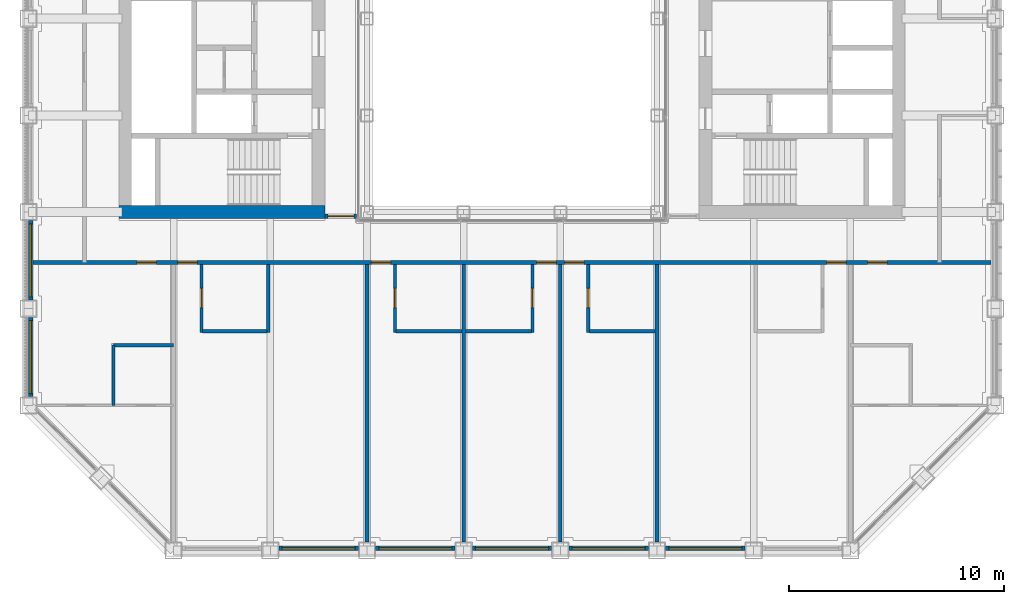
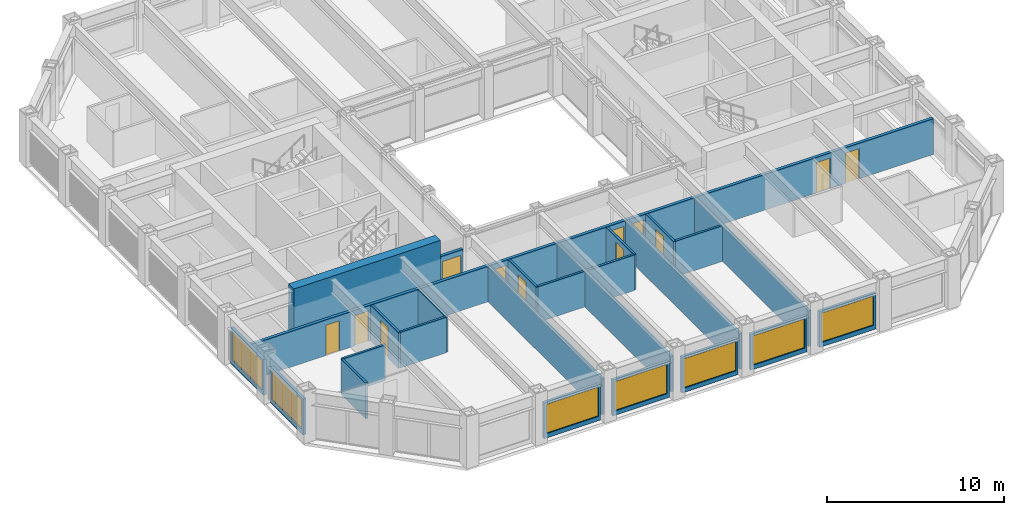
# One storey, part 10 of 17: 25 walls, 12 doors, 7 windows, 19 openings.
"""IFC4 building model written with IfcOpenShell, lengths in metres."""

from ifc_helpers import new_model, si_unit, direction, frame, frame_2d, origin, place, context, subcontext, project, spatial, rectangle, extrude, material, layer, layer_set, type_object, element, fill, save


model = new_model("IFC4")

# Units and contexts
model_context = context("Model", 3, precision=1e-05, world=origin(), true_north=direction((0.0, 1.0)))
body_context = subcontext(model_context, "Body", "Model", "MODEL_VIEW")
ifc_project = project(units=[si_unit("LENGTHUNIT", "METRE"), si_unit("AREAUNIT", "SQUARE_METRE"), si_unit("VOLUMEUNIT", "CUBIC_METRE"), si_unit("PLANEANGLEUNIT", "RADIAN"), si_unit("MASSUNIT", "GRAM", prefix="KILO")], contexts=[model_context])

# Site, building, storey
site_placement = place(None, origin())
site = spatial("IfcSite", under=ifc_project, at=site_placement, CompositionType="ELEMENT")
building_placement = place(site_placement, origin())
building = spatial("IfcBuilding", under=site, at=building_placement, Name="Msasa Ring Tower", CompositionType="ELEMENT")
storey_placement = place(building_placement, frame((0.0, 0.0, 150.800048828125)))
storey = spatial("IfcBuildingStorey", under=building, at=storey_placement, Name="L39", CompositionType="ELEMENT", Elevation=150.800048828125)

# Wall
ifc_material_1 = material(Name="Concrete C60/75", Category="concrete")
ifc_layer_1 = layer(ifc_material_1, 0.60009765625)
ifc_layer_set_1 = layer_set([ifc_layer_1], Name="CW2 CORE WALL 600")
wall_type_1 = type_object("IfcWallType", Name="CW2 CORE WALL 600", PredefinedType="SHEAR", material=ifc_layer_set_1)
wall_1_placement = place(storey_placement, frame((-8.699951171875, -6.75, 0.0), z_axis=(0.0, 0.0, 1.0), x_axis=(-1.0, 0.0, 0.0)))
element("IfcWall", 1, at=wall_1_placement, inside=storey, type_object=wall_type_1, Name="W core wall S L39", PredefinedType="SHEAR", context=body_context, shape_type="SweptSolid", body=[
    extrude(rectangle(XDim=9.60009765625, YDim=0.60009765625, at=frame_2d((4.800048828125, 0.0))), origin(), (0.0, 0.0, 1.0), 3.599853515625),
])

# Wall, opening, window
ifc_material_2 = material(Name="Terracotta rainscreen on blockwork", Category="masonry")
ifc_layer_2 = layer(ifc_material_2, 0.199951171875)
ifc_layer_set_2 = layer_set([ifc_layer_2], Name="FW1 TERRACOTTA-LINED INFILL BAY WALL 200")
wall_type_2 = type_object("IfcWallType", Name="FW1 TERRACOTTA-LINED INFILL BAY WALL 200", PredefinedType="SOLIDWALL", material=ifc_layer_set_2)
wall_2_placement = place(storey_placement, frame((-10.844970703125, -22.39990234375, 0.0), z_axis=(0.0, 0.0, 1.0), x_axis=(1.0, 0.0, 0.0)))
wall_2 = element("IfcWall", 2, at=wall_2_placement, inside=storey, type_object=wall_type_2, Name="Infill bay wall S L39 01", PredefinedType="SOLIDWALL", context=body_context, shape_type="SweptSolid", body=[
    extrude(rectangle(XDim=3.68994140625, YDim=0.199951171875, at=frame_2d((1.844970703125, 0.0))), origin(), (0.0, 0.0, 1.0), 2.47900390625),
])
opening_1_placement = place(wall_2_placement, frame((0.14501953125, 0.0, 0.300048828125)))
opening_1 = element("IfcOpeningElement", 3, at=opening_1_placement, cuts=wall_2, Name="Opening WN2", PredefinedType="OPENING", context=body_context, shape_type="SweptSolid", body=[
    extrude(rectangle(XDim=3.39990234375, YDim=2.029052734375, at=frame_2d((1.699951171875, 1.0146484375))), frame((0.0, 0.10986328125, 0.0), z_axis=(0.0, -1.0, 0.0), x_axis=(1.0, 0.0, 0.0)), (0.0, 0.0, 1.0), 0.219970703125),
])
ifc_material_3 = material(Name="Aluminium frame with clear glass", Category="aluminium")
window_type = type_object("IfcWindowType", Name="WN2 GUEST ROOM WINDOW 3400x2029", PartitioningType="SINGLE_PANEL", PredefinedType="WINDOW", material=ifc_material_3)
window_1_placement = place(opening_1_placement, origin())
window_1 = element("IfcWindow", 4, at=window_1_placement, inside=storey, type_object=window_type, Name="Window S L39 01", OverallHeight=2.029052734375, OverallWidth=3.39990234375, PartitioningType="SINGLE_PANEL", PredefinedType="WINDOW", context=body_context, shape_type="SweptSolid", body=[
    extrude(rectangle(XDim=3.39990234375, YDim=2.029052734375, at=frame_2d((1.699951171875, 1.0146484375))), frame((0.0, 0.030029296875, 0.0), z_axis=(0.0, -1.0, 0.0), x_axis=(1.0, 0.0, 0.0)), (0.0, 0.0, 1.0), 0.06005859375),
])
fill(opening_1, window_1)

wall_3_placement = place(storey_placement, frame((-6.344970703125, -22.39990234375, 0.0), z_axis=(0.0, 0.0, 1.0), x_axis=(1.0, 0.0, 0.0)))
wall_3 = element("IfcWall", 5, at=wall_3_placement, inside=storey, type_object=wall_type_2, Name="Infill bay wall S L39 02", PredefinedType="SOLIDWALL", context=body_context, shape_type="SweptSolid", body=[
    extrude(rectangle(XDim=3.68994140625, YDim=0.199951171875, at=frame_2d((1.844970703125, 0.0))), origin(), (0.0, 0.0, 1.0), 2.47900390625),
])
opening_2_placement = place(wall_3_placement, frame((0.14501953125, 0.0, 0.300048828125)))
opening_2 = element("IfcOpeningElement", 6, at=opening_2_placement, cuts=wall_3, Name="Opening WN2", PredefinedType="OPENING", context=body_context, shape_type="SweptSolid", body=[
    extrude(rectangle(XDim=3.39990234375, YDim=2.029052734375, at=frame_2d((1.699951171875, 1.0146484375))), frame((0.0, 0.10986328125, 0.0), z_axis=(0.0, -1.0, 0.0), x_axis=(1.0, 0.0, 0.0)), (0.0, 0.0, 1.0), 0.219970703125),
])
window_2_placement = place(opening_2_placement, origin())
window_2 = element("IfcWindow", 7, at=window_2_placement, inside=storey, type_object=window_type, Name="Window S L39 02", OverallHeight=2.029052734375, OverallWidth=3.39990234375, PartitioningType="SINGLE_PANEL", PredefinedType="WINDOW", context=body_context, shape_type="SweptSolid", body=[
    extrude(rectangle(XDim=3.39990234375, YDim=2.029052734375, at=frame_2d((1.699951171875, 1.0146484375))), frame((0.0, 0.030029296875, 0.0), z_axis=(0.0, -1.0, 0.0), x_axis=(1.0, 0.0, 0.0)), (0.0, 0.0, 1.0), 0.06005859375),
])
fill(opening_2, window_2)

wall_4_placement = place(storey_placement, frame((-1.844970703125, -22.39990234375, 0.0), z_axis=(0.0, 0.0, 1.0), x_axis=(1.0, 0.0, 0.0)))
wall_4 = element("IfcWall", 8, at=wall_4_placement, inside=storey, type_object=wall_type_2, Name="Infill bay wall S L39 03", PredefinedType="SOLIDWALL", context=body_context, shape_type="SweptSolid", body=[
    extrude(rectangle(XDim=3.68994140625, YDim=0.199951171875, at=frame_2d((1.844970703125, 0.0))), origin(), (0.0, 0.0, 1.0), 2.47900390625),
])
opening_3_placement = place(wall_4_placement, frame((0.14501953125, 0.0, 0.300048828125)))
opening_3 = element("IfcOpeningElement", 9, at=opening_3_placement, cuts=wall_4, Name="Opening WN2", PredefinedType="OPENING", context=body_context, shape_type="SweptSolid", body=[
    extrude(rectangle(XDim=3.39990234375, YDim=2.029052734375, at=frame_2d((1.699951171875, 1.0146484375))), frame((0.0, 0.10986328125, 0.0), z_axis=(0.0, -1.0, 0.0), x_axis=(1.0, 0.0, 0.0)), (0.0, 0.0, 1.0), 0.219970703125),
])
window_3_placement = place(opening_3_placement, origin())
window_3 = element("IfcWindow", 10, at=window_3_placement, inside=storey, type_object=window_type, Name="Window S L39 03", OverallHeight=2.029052734375, OverallWidth=3.39990234375, PartitioningType="SINGLE_PANEL", PredefinedType="WINDOW", context=body_context, shape_type="SweptSolid", body=[
    extrude(rectangle(XDim=3.39990234375, YDim=2.029052734375, at=frame_2d((1.699951171875, 1.0146484375))), frame((0.0, 0.030029296875, 0.0), z_axis=(0.0, -1.0, 0.0), x_axis=(1.0, 0.0, 0.0)), (0.0, 0.0, 1.0), 0.06005859375),
])
fill(opening_3, window_3)

wall_5_placement = place(storey_placement, frame((2.655029296875, -22.39990234375, 0.0), z_axis=(0.0, 0.0, 1.0), x_axis=(1.0, 0.0, 0.0)))
wall_5 = element("IfcWall", 11, at=wall_5_placement, inside=storey, type_object=wall_type_2, Name="Infill bay wall S L39 04", PredefinedType="SOLIDWALL", context=body_context, shape_type="SweptSolid", body=[
    extrude(rectangle(XDim=3.68994140625, YDim=0.199951171875, at=frame_2d((1.844970703125, 0.0))), origin(), (0.0, 0.0, 1.0), 2.47900390625),
])
opening_4_placement = place(wall_5_placement, frame((0.14501953125, 0.0, 0.300048828125)))
opening_4 = element("IfcOpeningElement", 12, at=opening_4_placement, cuts=wall_5, Name="Opening WN2", PredefinedType="OPENING", context=body_context, shape_type="SweptSolid", body=[
    extrude(rectangle(XDim=3.39990234375, YDim=2.029052734375, at=frame_2d((1.699951171875, 1.0146484375))), frame((0.0, 0.10986328125, 0.0), z_axis=(0.0, -1.0, 0.0), x_axis=(1.0, 0.0, 0.0)), (0.0, 0.0, 1.0), 0.219970703125),
])
window_4_placement = place(opening_4_placement, origin())
window_4 = element("IfcWindow", 13, at=window_4_placement, inside=storey, type_object=window_type, Name="Window S L39 04", OverallHeight=2.029052734375, OverallWidth=3.39990234375, PartitioningType="SINGLE_PANEL", PredefinedType="WINDOW", context=body_context, shape_type="SweptSolid", body=[
    extrude(rectangle(XDim=3.39990234375, YDim=2.029052734375, at=frame_2d((1.699951171875, 1.0146484375))), frame((0.0, 0.030029296875, 0.0), z_axis=(0.0, -1.0, 0.0), x_axis=(1.0, 0.0, 0.0)), (0.0, 0.0, 1.0), 0.06005859375),
])
fill(opening_4, window_4)

wall_6_placement = place(storey_placement, frame((7.155029296875, -22.39990234375, 0.0), z_axis=(0.0, 0.0, 1.0), x_axis=(1.0, 0.0, 0.0)))
wall_6 = element("IfcWall", 14, at=wall_6_placement, inside=storey, type_object=wall_type_2, Name="Infill bay wall S L39 05", PredefinedType="SOLIDWALL", context=body_context, shape_type="SweptSolid", body=[
    extrude(rectangle(XDim=3.68994140625, YDim=0.199951171875, at=frame_2d((1.844970703125, 0.0))), origin(), (0.0, 0.0, 1.0), 2.47900390625),
])
opening_5_placement = place(wall_6_placement, frame((0.14501953125, 0.0, 0.300048828125)))
opening_5 = element("IfcOpeningElement", 15, at=opening_5_placement, cuts=wall_6, Name="Opening WN2", PredefinedType="OPENING", context=body_context, shape_type="SweptSolid", body=[
    extrude(rectangle(XDim=3.39990234375, YDim=2.029052734375, at=frame_2d((1.699951171875, 1.0146484375))), frame((0.0, 0.10986328125, 0.0), z_axis=(0.0, -1.0, 0.0), x_axis=(1.0, 0.0, 0.0)), (0.0, 0.0, 1.0), 0.219970703125),
])
window_5_placement = place(opening_5_placement, origin())
window_5 = element("IfcWindow", 16, at=window_5_placement, inside=storey, type_object=window_type, Name="Window S L39 05", OverallHeight=2.029052734375, OverallWidth=3.39990234375, PartitioningType="SINGLE_PANEL", PredefinedType="WINDOW", context=body_context, shape_type="SweptSolid", body=[
    extrude(rectangle(XDim=3.39990234375, YDim=2.029052734375, at=frame_2d((1.699951171875, 1.0146484375))), frame((0.0, 0.030029296875, 0.0), z_axis=(0.0, -1.0, 0.0), x_axis=(1.0, 0.0, 0.0)), (0.0, 0.0, 1.0), 0.06005859375),
])
fill(opening_5, window_5)

wall_7_placement = place(storey_placement, frame((-22.39990234375, -15.344970703125, 0.0), z_axis=(0.0, 0.0, 1.0), x_axis=(0.0, 1.0, 0.0)))
wall_7 = element("IfcWall", 17, at=wall_7_placement, inside=storey, type_object=wall_type_2, Name="Infill bay wall W L39 27", PredefinedType="SOLIDWALL", context=body_context, shape_type="SweptSolid", body=[
    extrude(rectangle(XDim=3.68994140625, YDim=0.199951171875, at=frame_2d((1.844970703125, 0.0))), origin(), (0.0, 0.0, 1.0), 2.47900390625),
])
opening_6_placement = place(wall_7_placement, frame((0.14501953125, 0.0, 0.300048828125)))
opening_6 = element("IfcOpeningElement", 18, at=opening_6_placement, cuts=wall_7, Name="Opening WN2", PredefinedType="OPENING", context=body_context, shape_type="SweptSolid", body=[
    extrude(rectangle(XDim=3.39990234375, YDim=2.029052734375, at=frame_2d((1.699951171875, 1.0146484375))), frame((0.0, 0.10986328125, 0.0), z_axis=(0.0, -1.0, 0.0), x_axis=(1.0, 0.0, 0.0)), (0.0, 0.0, 1.0), 0.219970703125),
])
window_6_placement = place(opening_6_placement, origin())
window_6 = element("IfcWindow", 19, at=window_6_placement, inside=storey, type_object=window_type, Name="Window W L39 27", OverallHeight=2.029052734375, OverallWidth=3.39990234375, PartitioningType="SINGLE_PANEL", PredefinedType="WINDOW", context=body_context, shape_type="SweptSolid", body=[
    extrude(rectangle(XDim=3.39990234375, YDim=2.029052734375, at=frame_2d((1.699951171875, 1.0146484375))), frame((0.0, 0.030029296875, 0.0), z_axis=(0.0, -1.0, 0.0), x_axis=(1.0, 0.0, 0.0)), (0.0, 0.0, 1.0), 0.06005859375),
])
fill(opening_6, window_6)

wall_8_placement = place(storey_placement, frame((-22.39990234375, -10.844970703125, 0.0), z_axis=(0.0, 0.0, 1.0), x_axis=(0.0, 1.0, 0.0)))
wall_8 = element("IfcWall", 20, at=wall_8_placement, inside=storey, type_object=wall_type_2, Name="Infill bay wall W L39 28", PredefinedType="SOLIDWALL", context=body_context, shape_type="SweptSolid", body=[
    extrude(rectangle(XDim=3.68994140625, YDim=0.199951171875, at=frame_2d((1.844970703125, 0.0))), origin(), (0.0, 0.0, 1.0), 2.47900390625),
])
opening_7_placement = place(wall_8_placement, frame((0.14501953125, 0.0, 0.300048828125)))
opening_7 = element("IfcOpeningElement", 21, at=opening_7_placement, cuts=wall_8, Name="Opening WN2", PredefinedType="OPENING", context=body_context, shape_type="SweptSolid", body=[
    extrude(rectangle(XDim=3.39990234375, YDim=2.029052734375, at=frame_2d((1.699951171875, 1.0146484375))), frame((0.0, 0.10986328125, 0.0), z_axis=(0.0, -1.0, 0.0), x_axis=(1.0, 0.0, 0.0)), (0.0, 0.0, 1.0), 0.219970703125),
])
window_7_placement = place(opening_7_placement, origin())
window_7 = element("IfcWindow", 22, at=window_7_placement, inside=storey, type_object=window_type, Name="Window W L39 28", OverallHeight=2.029052734375, OverallWidth=3.39990234375, PartitioningType="SINGLE_PANEL", PredefinedType="WINDOW", context=body_context, shape_type="SweptSolid", body=[
    extrude(rectangle(XDim=3.39990234375, YDim=2.029052734375, at=frame_2d((1.699951171875, 1.0146484375))), frame((0.0, 0.030029296875, 0.0), z_axis=(0.0, -1.0, 0.0), x_axis=(1.0, 0.0, 0.0)), (0.0, 0.0, 1.0), 0.06005859375),
])
fill(opening_7, window_7)

# Wall, opening, door
ifc_material_4 = material(Name="Concrete blockwork", Category="masonry")
ifc_layer_3 = layer(ifc_material_4, 0.199951171875)
ifc_layer_set_3 = layer_set([ifc_layer_3], Name="PT1 CORRIDOR WALL 200")
wall_type_3 = type_object("IfcWallType", Name="PT1 CORRIDOR WALL 200", PredefinedType="PARTITIONING", material=ifc_layer_set_3)
wall_9_placement = place(storey_placement, frame((-8.699951171875, -6.949951171875, 0.0), z_axis=(0.0, 0.0, 1.0), x_axis=(1.0, 0.0, 0.0)))
wall_9 = element("IfcWall", 23, at=wall_9_placement, inside=storey, type_object=wall_type_3, Name="Corridor wall L39-SDWS", PredefinedType="PARTITIONING", context=body_context, shape_type="SweptSolid", body=[
    extrude(rectangle(XDim=1.469970703125, YDim=0.199951171875, at=frame_2d((0.73486328125, 0.0))), origin(), (0.0, 0.0, 1.0), 2.473388671875),
])
opening_8_placement = place(wall_9_placement, frame((0.135009765625, 0.0, 0.0)))
opening_8 = element("IfcOpeningElement", 24, at=opening_8_placement, cuts=wall_9, Name="Opening HD-031", PredefinedType="OPENING", context=body_context, shape_type="SweptSolid", body=[
    extrude(rectangle(XDim=1.199951171875, YDim=2.10009765625, at=frame_2d((0.60009765625, 1.050048828125))), frame((0.0, 0.10986328125, 0.0), z_axis=(0.0, -1.0, 0.0), x_axis=(1.0, 0.0, 0.0)), (0.0, 0.0, 1.0), 0.219970703125),
])
ifc_material_5 = material(Name="Timber door leaf in a steel frame", Category="steel")
door_type_1 = type_object("IfcDoorType", Name="D25 CORRIDOR PAIR OF SMOKE DOORS 1200x2100", OperationType="DOUBLE_DOOR_DOUBLE_SWING", PredefinedType="DOOR", material=ifc_material_5)
door_1_placement = place(opening_8_placement, origin())
door_1 = element("IfcDoor", 25, at=door_1_placement, inside=storey, type_object=door_type_1, Name="Door L39-SDWS", OperationType="DOUBLE_DOOR_DOUBLE_SWING", OverallHeight=2.10009765625, OverallWidth=1.199951171875, PredefinedType="DOOR", context=body_context, shape_type="SweptSolid", body=[
    extrude(rectangle(XDim=1.199951171875, YDim=2.10009765625, at=frame_2d((0.60009765625, 1.050048828125))), frame((0.0, 0.02490234375, 0.0), z_axis=(0.0, -1.0, 0.0), x_axis=(1.0, 0.0, 0.0)), (0.0, 0.0, 1.0), 0.050048828125),
])
fill(opening_8, door_1)

# Wall, openings, doors
wall_10_placement = place(storey_placement, frame((-22.300048828125, -9.10009765625, 0.0), z_axis=(0.0, 0.0, 1.0), x_axis=(1.0, 0.0, 0.0)))
wall_10 = element("IfcWall", 26, at=wall_10_placement, inside=storey, type_object=wall_type_3, Name="Corridor wall L39-CORRS0", PredefinedType="PARTITIONING", context=body_context, shape_type="SweptSolid", body=[
    extrude(rectangle(XDim=44.60009765625, YDim=0.199951171875, at=frame_2d((22.300048828125, 0.0))), origin(), (0.0, 0.0, 1.0), 2.473388671875),
])
opening_9_placement = place(wall_10_placement, frame((6.75, 0.0, 0.0)))
opening_9 = element("IfcOpeningElement", 27, at=opening_9_placement, cuts=wall_10, Name="Opening HD-034", PredefinedType="OPENING", context=body_context, shape_type="SweptSolid", body=[
    extrude(rectangle(XDim=0.89990234375, YDim=2.10009765625, at=frame_2d((0.449951171875, 1.050048828125))), frame((0.0, 0.10986328125, 0.0), z_axis=(0.0, -1.0, 0.0), x_axis=(1.0, 0.0, 0.0)), (0.0, 0.0, 1.0), 0.219970703125),
])
opening_10_placement = place(wall_10_placement, frame((15.75, 0.0, 0.0)))
opening_10 = element("IfcOpeningElement", 28, at=opening_10_placement, cuts=wall_10, Name="Opening HD-035", PredefinedType="OPENING", context=body_context, shape_type="SweptSolid", body=[
    extrude(rectangle(XDim=0.89990234375, YDim=2.10009765625, at=frame_2d((0.449951171875, 1.050048828125))), frame((0.0, 0.10986328125, 0.0), z_axis=(0.0, -1.0, 0.0), x_axis=(1.0, 0.0, 0.0)), (0.0, 0.0, 1.0), 0.219970703125),
])
opening_11_placement = place(wall_10_placement, frame((23.449951171875, 0.0, 0.0)))
opening_11 = element("IfcOpeningElement", 29, at=opening_11_placement, cuts=wall_10, Name="Opening HD-036", PredefinedType="OPENING", context=body_context, shape_type="SweptSolid", body=[
    extrude(rectangle(XDim=0.89990234375, YDim=2.10009765625, at=frame_2d((0.449951171875, 1.050048828125))), frame((0.0, 0.10986328125, 0.0), z_axis=(0.0, -1.0, 0.0), x_axis=(1.0, 0.0, 0.0)), (0.0, 0.0, 1.0), 0.219970703125),
])
opening_12_placement = place(wall_10_placement, frame((24.75, 0.0, 0.0)))
opening_12 = element("IfcOpeningElement", 30, at=opening_12_placement, cuts=wall_10, Name="Opening HD-037", PredefinedType="OPENING", context=body_context, shape_type="SweptSolid", body=[
    extrude(rectangle(XDim=0.89990234375, YDim=2.10009765625, at=frame_2d((0.449951171875, 1.050048828125))), frame((0.0, 0.10986328125, 0.0), z_axis=(0.0, -1.0, 0.0), x_axis=(1.0, 0.0, 0.0)), (0.0, 0.0, 1.0), 0.219970703125),
])
opening_13_placement = place(wall_10_placement, frame((36.949951171875, 0.0, 0.0)))
opening_13 = element("IfcOpeningElement", 31, at=opening_13_placement, cuts=wall_10, Name="Opening HD-038", PredefinedType="OPENING", context=body_context, shape_type="SweptSolid", body=[
    extrude(rectangle(XDim=0.89990234375, YDim=2.10009765625, at=frame_2d((0.449951171875, 1.050048828125))), frame((0.0, 0.10986328125, 0.0), z_axis=(0.0, -1.0, 0.0), x_axis=(1.0, 0.0, 0.0)), (0.0, 0.0, 1.0), 0.219970703125),
])
opening_14_placement = place(wall_10_placement, frame((38.85009765625, 0.0, 0.0)))
opening_14 = element("IfcOpeningElement", 32, at=opening_14_placement, cuts=wall_10, Name="Opening HD-039", PredefinedType="OPENING", context=body_context, shape_type="SweptSolid", body=[
    extrude(rectangle(XDim=0.89990234375, YDim=2.10009765625, at=frame_2d((0.449951171875, 1.050048828125))), frame((0.0, 0.10986328125, 0.0), z_axis=(0.0, -1.0, 0.0), x_axis=(1.0, 0.0, 0.0)), (0.0, 0.0, 1.0), 0.219970703125),
])
opening_15_placement = place(wall_10_placement, frame((4.85009765625, 0.0, 0.0)))
opening_15 = element("IfcOpeningElement", 33, at=opening_15_placement, cuts=wall_10, Name="Opening HD-033", PredefinedType="OPENING", context=body_context, shape_type="SweptSolid", body=[
    extrude(rectangle(XDim=0.89990234375, YDim=2.10009765625, at=frame_2d((0.449951171875, 1.050048828125))), frame((0.0, 0.10986328125, 0.0), z_axis=(0.0, -1.0, 0.0), x_axis=(1.0, 0.0, 0.0)), (0.0, 0.0, 1.0), 0.219970703125),
])
ifc_material_6 = material(Name="Timber door leaf in a steel frame", Category="steel")
door_type_2 = type_object("IfcDoorType", Name="D1 SINGLE DOOR TO CORRIDOR 900x2100", OperationType="SINGLE_SWING_LEFT", PredefinedType="DOOR", material=ifc_material_6)
door_2_placement = place(opening_9_placement, origin())
door_2 = element("IfcDoor", 34, at=door_2_placement, inside=storey, type_object=door_type_2, Name="Door L39-GS00", OperationType="SINGLE_SWING_LEFT", OverallHeight=2.10009765625, OverallWidth=0.89990234375, PredefinedType="DOOR", context=body_context, shape_type="SweptSolid", body=[
    extrude(rectangle(XDim=0.89990234375, YDim=2.10009765625, at=frame_2d((0.449951171875, 1.050048828125))), frame((0.0, 0.02490234375, 0.0), z_axis=(0.0, -1.0, 0.0), x_axis=(1.0, 0.0, 0.0)), (0.0, 0.0, 1.0), 0.050048828125),
])
fill(opening_9, door_2)
door_3_placement = place(opening_10_placement, origin())
door_3 = element("IfcDoor", 35, at=door_3_placement, inside=storey, type_object=door_type_2, Name="Door L39-GS01", OperationType="SINGLE_SWING_LEFT", OverallHeight=2.10009765625, OverallWidth=0.89990234375, PredefinedType="DOOR", context=body_context, shape_type="SweptSolid", body=[
    extrude(rectangle(XDim=0.89990234375, YDim=2.10009765625, at=frame_2d((0.449951171875, 1.050048828125))), frame((0.0, 0.02490234375, 0.0), z_axis=(0.0, -1.0, 0.0), x_axis=(1.0, 0.0, 0.0)), (0.0, 0.0, 1.0), 0.050048828125),
])
fill(opening_10, door_3)
door_4_placement = place(opening_11_placement, origin())
door_4 = element("IfcDoor", 36, at=door_4_placement, inside=storey, type_object=door_type_2, Name="Door L39-GS02", OperationType="SINGLE_SWING_RIGHT", OverallHeight=2.10009765625, OverallWidth=0.89990234375, PredefinedType="DOOR", context=body_context, shape_type="SweptSolid", body=[
    extrude(rectangle(XDim=0.89990234375, YDim=2.10009765625, at=frame_2d((0.449951171875, 1.050048828125))), frame((0.0, 0.02490234375, 0.0), z_axis=(0.0, -1.0, 0.0), x_axis=(1.0, 0.0, 0.0)), (0.0, 0.0, 1.0), 0.050048828125),
])
fill(opening_11, door_4)
door_5_placement = place(opening_12_placement, origin())
door_5 = element("IfcDoor", 37, at=door_5_placement, inside=storey, type_object=door_type_2, Name="Door L39-GS03", OperationType="SINGLE_SWING_RIGHT", OverallHeight=2.10009765625, OverallWidth=0.89990234375, PredefinedType="DOOR", context=body_context, shape_type="SweptSolid", body=[
    extrude(rectangle(XDim=0.89990234375, YDim=2.10009765625, at=frame_2d((0.449951171875, 1.050048828125))), frame((0.0, 0.02490234375, 0.0), z_axis=(0.0, -1.0, 0.0), x_axis=(1.0, 0.0, 0.0)), (0.0, 0.0, 1.0), 0.050048828125),
])
fill(opening_12, door_5)
door_6_placement = place(opening_13_placement, origin())
door_6 = element("IfcDoor", 38, at=door_6_placement, inside=storey, type_object=door_type_2, Name="Door L39-GS04", OperationType="SINGLE_SWING_RIGHT", OverallHeight=2.10009765625, OverallWidth=0.89990234375, PredefinedType="DOOR", context=body_context, shape_type="SweptSolid", body=[
    extrude(rectangle(XDim=0.89990234375, YDim=2.10009765625, at=frame_2d((0.449951171875, 1.050048828125))), frame((0.0, 0.02490234375, 0.0), z_axis=(0.0, -1.0, 0.0), x_axis=(1.0, 0.0, 0.0)), (0.0, 0.0, 1.0), 0.050048828125),
])
fill(opening_13, door_6)
ifc_material_7 = material(Name="Timber door leaf in a steel frame", Category="steel")
door_type_3 = type_object("IfcDoorType", Name="D2 ENTRANCE DOOR 900x2100", OperationType="SINGLE_SWING_LEFT", PredefinedType="DOOR", material=ifc_material_7)
door_7_placement = place(opening_14_placement, origin())
door_7 = element("IfcDoor", 39, at=door_7_placement, inside=storey, type_object=door_type_3, Name="Door L39-CSSE", OperationType="SINGLE_SWING_RIGHT", OverallHeight=2.10009765625, OverallWidth=0.89990234375, PredefinedType="DOOR", context=body_context, shape_type="SweptSolid", body=[
    extrude(rectangle(XDim=0.89990234375, YDim=2.10009765625, at=frame_2d((0.449951171875, 1.050048828125))), frame((0.0, 0.02490234375, 0.0), z_axis=(0.0, -1.0, 0.0), x_axis=(1.0, 0.0, 0.0)), (0.0, 0.0, 1.0), 0.050048828125),
])
fill(opening_14, door_7)
door_8_placement = place(opening_15_placement, origin())
door_8 = element("IfcDoor", 40, at=door_8_placement, inside=storey, type_object=door_type_3, Name="Door L39-CSSW", OperationType="SINGLE_SWING_LEFT", OverallHeight=2.10009765625, OverallWidth=0.89990234375, PredefinedType="DOOR", context=body_context, shape_type="SweptSolid", body=[
    extrude(rectangle(XDim=0.89990234375, YDim=2.10009765625, at=frame_2d((0.449951171875, 1.050048828125))), frame((0.0, 0.02490234375, 0.0), z_axis=(0.0, -1.0, 0.0), x_axis=(1.0, 0.0, 0.0)), (0.0, 0.0, 1.0), 0.050048828125),
])
fill(opening_15, door_8)

# Wall, opening, door
ifc_material_8 = material(Name="Moisture-resistant board on steel studs with a concealed cistern and pipe void, tiled", Category="steel")
ifc_layer_4 = layer(ifc_material_8, 0.14990234375)
ifc_layer_set_4 = layer_set([ifc_layer_4], Name="PT4 BATHROOM WET WALL 150")
wall_type_4 = type_object("IfcWallType", Name="PT4 BATHROOM WET WALL 150", PredefinedType="PARTITIONING", material=ifc_layer_set_4)
wall_11_placement = place(storey_placement, frame((-14.449951171875, -12.35009765625, 0.0), z_axis=(0.0, 0.0, 1.0), x_axis=(0.0, 1.0, 0.0)))
wall_11 = element("IfcWall", 41, at=wall_11_placement, inside=storey, type_object=wall_type_4, Name="Partition L39-GS00BX", PredefinedType="PARTITIONING", context=body_context, shape_type="SweptSolid", body=[
    extrude(rectangle(XDim=3.150146484375, YDim=0.14990234375, at=frame_2d((1.5751953125, 0.0))), origin(), (0.0, 0.0, 1.0), 2.473388671875),
])
opening_16_placement = place(wall_11_placement, frame((1.14990234375, 0.0, 0.0)))
opening_16 = element("IfcOpeningElement", 42, at=opening_16_placement, cuts=wall_11, Name="Opening HD-040", PredefinedType="OPENING", context=body_context, shape_type="SweptSolid", body=[
    extrude(rectangle(XDim=0.89990234375, YDim=2.10009765625, at=frame_2d((0.449951171875, 1.050048828125))), frame((0.0, 0.0849609375, 0.0), z_axis=(0.0, -1.0, 0.0), x_axis=(1.0, 0.0, 0.0)), (0.0, 0.0, 1.0), 0.169921875),
])
ifc_material_9 = material(Name="Timber door leaf in a steel frame", Category="steel")
door_type_4 = type_object("IfcDoorType", Name="D3 BATHROOM DOOR 900x2100", OperationType="SINGLE_SWING_LEFT", PredefinedType="DOOR", material=ifc_material_9)
door_9_placement = place(opening_16_placement, origin())
door_9 = element("IfcDoor", 43, at=door_9_placement, inside=storey, type_object=door_type_4, Name="Door L39-GS00B", OperationType="SINGLE_SWING_LEFT", OverallHeight=2.10009765625, OverallWidth=0.89990234375, PredefinedType="DOOR", context=body_context, shape_type="SweptSolid", body=[
    extrude(rectangle(XDim=0.89990234375, YDim=2.10009765625, at=frame_2d((0.449951171875, 1.050048828125))), frame((0.0, 0.02490234375, 0.0), z_axis=(0.0, -1.0, 0.0), x_axis=(1.0, 0.0, 0.0)), (0.0, 0.0, 1.0), 0.050048828125),
])
fill(opening_16, door_9)

# Walls
wall_12_placement = place(storey_placement, frame((-11.35009765625, -12.35009765625, 0.0), z_axis=(0.0, 0.0, 1.0), x_axis=(0.0, 1.0, 0.0)))
element("IfcWall", 44, at=wall_12_placement, inside=storey, type_object=wall_type_4, Name="Partition L39-GS00BF", PredefinedType="PARTITIONING", context=body_context, shape_type="SweptSolid", body=[
    extrude(rectangle(XDim=3.150146484375, YDim=0.14990234375, at=frame_2d((1.5751953125, 0.0))), origin(), (0.0, 0.0, 1.0), 2.473388671875),
])
wall_13_placement = place(storey_placement, frame((-14.39990234375, -12.300048828125, 0.0), z_axis=(0.0, 0.0, 1.0), x_axis=(1.0, 0.0, 0.0)))
element("IfcWall", 45, at=wall_13_placement, inside=storey, type_object=wall_type_4, Name="Partition L39-GS00BY", PredefinedType="PARTITIONING", context=body_context, shape_type="SweptSolid", body=[
    extrude(rectangle(XDim=3.0, YDim=0.14990234375, at=frame_2d((1.5, 0.0))), origin(), (0.0, 0.0, 1.0), 2.473388671875),
])

# Wall, opening, door
wall_14_placement = place(storey_placement, frame((-5.449951171875, -12.35009765625, 0.0), z_axis=(0.0, 0.0, 1.0), x_axis=(0.0, 1.0, 0.0)))
wall_14 = element("IfcWall", 46, at=wall_14_placement, inside=storey, type_object=wall_type_4, Name="Partition L39-GS01BX", PredefinedType="PARTITIONING", context=body_context, shape_type="SweptSolid", body=[
    extrude(rectangle(XDim=3.150146484375, YDim=0.14990234375, at=frame_2d((1.5751953125, 0.0))), origin(), (0.0, 0.0, 1.0), 2.473388671875),
])
opening_17_placement = place(wall_14_placement, frame((1.14990234375, 0.0, 0.0)))
opening_17 = element("IfcOpeningElement", 47, at=opening_17_placement, cuts=wall_14, Name="Opening HD-041", PredefinedType="OPENING", context=body_context, shape_type="SweptSolid", body=[
    extrude(rectangle(XDim=0.89990234375, YDim=2.10009765625, at=frame_2d((0.449951171875, 1.050048828125))), frame((0.0, 0.0849609375, 0.0), z_axis=(0.0, -1.0, 0.0), x_axis=(1.0, 0.0, 0.0)), (0.0, 0.0, 1.0), 0.169921875),
])
door_10_placement = place(opening_17_placement, origin())
door_10 = element("IfcDoor", 48, at=door_10_placement, inside=storey, type_object=door_type_4, Name="Door L39-GS01B", OperationType="SINGLE_SWING_LEFT", OverallHeight=2.10009765625, OverallWidth=0.89990234375, PredefinedType="DOOR", context=body_context, shape_type="SweptSolid", body=[
    extrude(rectangle(XDim=0.89990234375, YDim=2.10009765625, at=frame_2d((0.449951171875, 1.050048828125))), frame((0.0, 0.02490234375, 0.0), z_axis=(0.0, -1.0, 0.0), x_axis=(1.0, 0.0, 0.0)), (0.0, 0.0, 1.0), 0.050048828125),
])
fill(opening_17, door_10)

# Wall
wall_15_placement = place(storey_placement, frame((-5.39990234375, -12.300048828125, 0.0), z_axis=(0.0, 0.0, 1.0), x_axis=(1.0, 0.0, 0.0)))
element("IfcWall", 49, at=wall_15_placement, inside=storey, type_object=wall_type_4, Name="Partition L39-GS01BY", PredefinedType="PARTITIONING", context=body_context, shape_type="SweptSolid", body=[
    extrude(rectangle(XDim=3.0625, YDim=0.14990234375, at=frame_2d((1.53125, 0.0))), origin(), (0.0, 0.0, 1.0), 2.473388671875),
])

# Wall, opening, door
wall_16_placement = place(storey_placement, frame((0.949951171875, -12.35009765625, 0.0), z_axis=(0.0, 0.0, 1.0), x_axis=(0.0, 1.0, 0.0)))
wall_16 = element("IfcWall", 50, at=wall_16_placement, inside=storey, type_object=wall_type_4, Name="Partition L39-GS02BX", PredefinedType="PARTITIONING", context=body_context, shape_type="SweptSolid", body=[
    extrude(rectangle(XDim=3.150146484375, YDim=0.14990234375, at=frame_2d((1.5751953125, 0.0))), origin(), (0.0, 0.0, 1.0), 2.473388671875),
])
opening_18_placement = place(wall_16_placement, frame((1.14990234375, 0.0, 0.0)))
opening_18 = element("IfcOpeningElement", 51, at=opening_18_placement, cuts=wall_16, Name="Opening HD-042", PredefinedType="OPENING", context=body_context, shape_type="SweptSolid", body=[
    extrude(rectangle(XDim=0.89990234375, YDim=2.10009765625, at=frame_2d((0.449951171875, 1.050048828125))), frame((0.0, 0.0849609375, 0.0), z_axis=(0.0, -1.0, 0.0), x_axis=(1.0, 0.0, 0.0)), (0.0, 0.0, 1.0), 0.169921875),
])
door_11_placement = place(opening_18_placement, origin())
door_11 = element("IfcDoor", 52, at=door_11_placement, inside=storey, type_object=door_type_4, Name="Door L39-GS02B", OperationType="SINGLE_SWING_LEFT", OverallHeight=2.10009765625, OverallWidth=0.89990234375, PredefinedType="DOOR", context=body_context, shape_type="SweptSolid", body=[
    extrude(rectangle(XDim=0.89990234375, YDim=2.10009765625, at=frame_2d((0.449951171875, 1.050048828125))), frame((0.0, 0.02490234375, 0.0), z_axis=(0.0, -1.0, 0.0), x_axis=(1.0, 0.0, 0.0)), (0.0, 0.0, 1.0), 0.050048828125),
])
fill(opening_18, door_11)

# Wall
wall_17_placement = place(storey_placement, frame((-2.16259765625, -12.300048828125, 0.0), z_axis=(0.0, 0.0, 1.0), x_axis=(1.0, 0.0, 0.0)))
element("IfcWall", 53, at=wall_17_placement, inside=storey, type_object=wall_type_4, Name="Partition L39-GS02BY", PredefinedType="PARTITIONING", context=body_context, shape_type="SweptSolid", body=[
    extrude(rectangle(XDim=3.0625, YDim=0.14990234375, at=frame_2d((1.53125, 0.0))), origin(), (0.0, 0.0, 1.0), 2.473388671875),
])

# Wall, opening, door
wall_18_placement = place(storey_placement, frame((3.550048828125, -12.35009765625, 0.0), z_axis=(0.0, 0.0, 1.0), x_axis=(0.0, 1.0, 0.0)))
wall_18 = element("IfcWall", 54, at=wall_18_placement, inside=storey, type_object=wall_type_4, Name="Partition L39-GS03BX", PredefinedType="PARTITIONING", context=body_context, shape_type="SweptSolid", body=[
    extrude(rectangle(XDim=3.150146484375, YDim=0.14990234375, at=frame_2d((1.5751953125, 0.0))), origin(), (0.0, 0.0, 1.0), 2.473388671875),
])
opening_19_placement = place(wall_18_placement, frame((1.14990234375, 0.0, 0.0)))
opening_19 = element("IfcOpeningElement", 55, at=opening_19_placement, cuts=wall_18, Name="Opening HD-043", PredefinedType="OPENING", context=body_context, shape_type="SweptSolid", body=[
    extrude(rectangle(XDim=0.89990234375, YDim=2.10009765625, at=frame_2d((0.449951171875, 1.050048828125))), frame((0.0, 0.0849609375, 0.0), z_axis=(0.0, -1.0, 0.0), x_axis=(1.0, 0.0, 0.0)), (0.0, 0.0, 1.0), 0.169921875),
])
door_12_placement = place(opening_19_placement, origin())
door_12 = element("IfcDoor", 56, at=door_12_placement, inside=storey, type_object=door_type_4, Name="Door L39-GS03B", OperationType="SINGLE_SWING_LEFT", OverallHeight=2.10009765625, OverallWidth=0.89990234375, PredefinedType="DOOR", context=body_context, shape_type="SweptSolid", body=[
    extrude(rectangle(XDim=0.89990234375, YDim=2.10009765625, at=frame_2d((0.449951171875, 1.050048828125))), frame((0.0, 0.02490234375, 0.0), z_axis=(0.0, -1.0, 0.0), x_axis=(1.0, 0.0, 0.0)), (0.0, 0.0, 1.0), 0.050048828125),
])
fill(opening_19, door_12)

# Walls
wall_19_placement = place(storey_placement, frame((3.60009765625, -12.300048828125, 0.0), z_axis=(0.0, 0.0, 1.0), x_axis=(1.0, 0.0, 0.0)))
element("IfcWall", 57, at=wall_19_placement, inside=storey, type_object=wall_type_4, Name="Partition L39-GS03BY", PredefinedType="PARTITIONING", context=body_context, shape_type="SweptSolid", body=[
    extrude(rectangle(XDim=3.0625, YDim=0.14990234375, at=frame_2d((1.53125, 0.0))), origin(), (0.0, 0.0, 1.0), 2.473388671875),
])
for number, where, z_axis, x_axis, name in (
    (58, (-18.550048828125, -15.75, 0.0), (0.0, 0.0, 1.0), (0.0, 1.0, 0.0), "Partition L39-CSSWBX"),
    (59, (-18.550048828125, -12.949951171875, 0.0), (0.0, 0.0, 1.0), (1.0, 0.0, 0.0), "Partition L39-CSSWBY"),
):
    element("IfcWall", number, at=place(storey_placement, frame(where, z_axis=z_axis, x_axis=x_axis)), inside=storey, type_object=wall_type_4, Name=name, PredefinedType="PARTITIONING", context=body_context, shape_type="SweptSolid", body=[
        extrude(rectangle(XDim=2.800048828125, YDim=0.14990234375, at=frame_2d((1.39990234375, 0.0))), origin(), (0.0, 0.0, 1.0), 2.473388671875),
    ])
ifc_material_10 = material(Name="Twin steel studs, two layers of acoustic board each face, mineral wool", Category="steel")
ifc_layer_5 = layer(ifc_material_10, 0.175048828125)
ifc_layer_set_5 = layer_set([ifc_layer_5], Name="PT5 GUEST ROOM SEPARATING WALL 175")
wall_type_5 = type_object("IfcWallType", Name="PT5 GUEST ROOM SEPARATING WALL 175", PredefinedType="PARTITIONING", material=ifc_layer_set_5)
for number, where, z_axis, x_axis, name in (
    (60, (-6.75, -22.10009765625, 0.0), (0.0, 0.0, 1.0), (0.0, 1.0, 0.0), "Partition L39-PWS-6.75"),
    (61, (-2.25, -22.10009765625, 0.0), (0.0, 0.0, 1.0), (0.0, 1.0, 0.0), "Partition L39-PWS-2.25"),
    (62, (2.25, -22.10009765625, 0.0), (0.0, 0.0, 1.0), (0.0, 1.0, 0.0), "Partition L39-PWS+2.25"),
    (63, (6.75, -22.10009765625, 0.0), (0.0, 0.0, 1.0), (0.0, 1.0, 0.0), "Partition L39-PWS+6.75"),
):
    element("IfcWall", number, at=place(storey_placement, frame(where, z_axis=z_axis, x_axis=x_axis)), inside=storey, type_object=wall_type_5, Name=name, PredefinedType="PARTITIONING", context=body_context, shape_type="SweptSolid", body=[
        extrude(rectangle(XDim=12.900146484375, YDim=0.175048828125, at=frame_2d((6.4501953125, 0.0))), origin(), (0.0, 0.0, 1.0), 2.473388671875),
    ])

save(model, "model.ifc")
